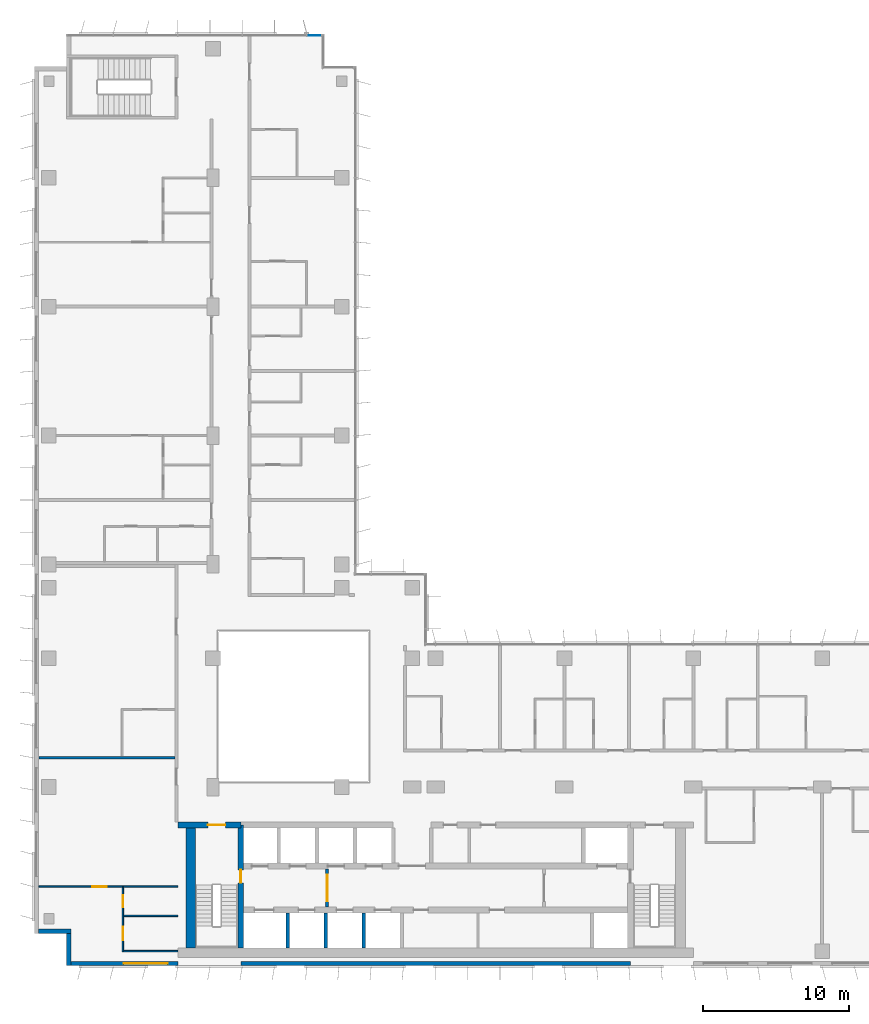
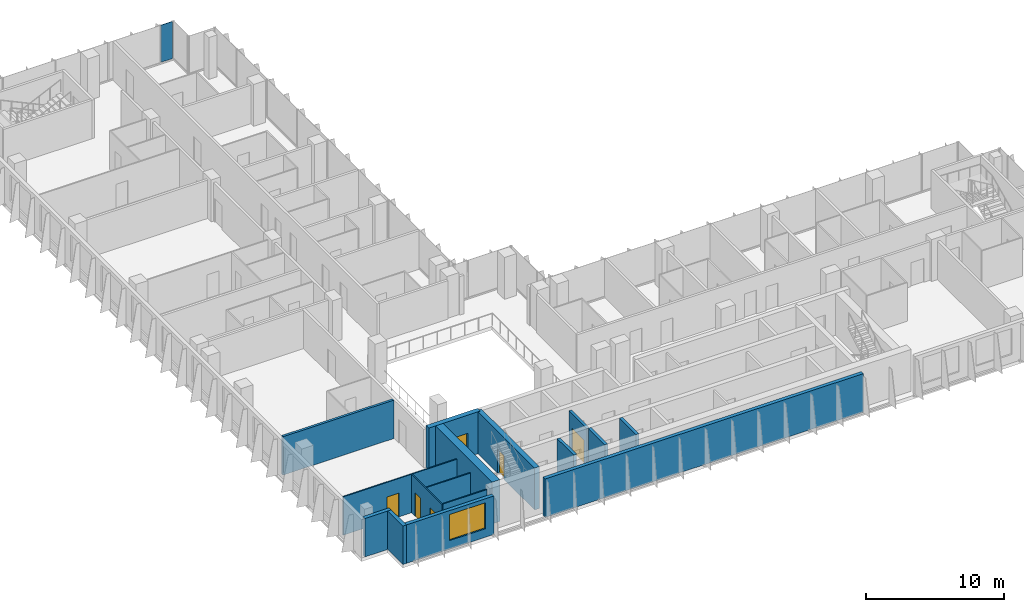
# One storey, part 12 of 21: 16 walls, 6 doors, 1 plate, 1 window, 7 openings, 1 element without a shape of its own.
"""IFC4 building model written with IfcOpenShell, lengths in metres."""

import ifcopenshell
import ifcopenshell.guid

model = None  # the IFC model being written
_history = None  # IfcOwnerHistory: only IFC2X3 demands one
_inside = {}  # id of a spatial element -> (the spatial element, [elements in it])
_under = {}  # id of a project, library or spatial element -> (it, [spatial elements below it])
_declared = {}  # id of a project -> (the project, [libraries it declares])
_typed = {}  # id of a type object -> (the type object, [elements of that type])
_made_of = {}  # id of a material, layer set ... -> (it, [elements and type objects made of it])


def new_model(schema):
    """Start an empty IFC model of exactly this schema.

    Asked for "IFC4X3", IfcOpenShell would pick the latest addendum, in which some entities
    have other attributes; the version numbers below select the first issue.
    IFC2X3 requires an IfcOwnerHistory on every rooted entity: one is made here for all.
    """
    global model, _history
    if schema == "IFC4X3":
        model = ifcopenshell.file(schema_version=(4, 3, 0, 0))
    else:
        model = ifcopenshell.file(schema=schema)
    _inside.clear()
    _under.clear()
    _declared.clear()
    _typed.clear()
    _made_of.clear()
    _history = None
    if model.schema == "IFC2X3":
        org = make("IfcOrganization", Name="unknown")
        user = make(
            "IfcPersonAndOrganization",
            ThePerson=make("IfcPerson", FamilyName="unknown"),
            TheOrganization=org,
        )
        app = make(
            "IfcApplication",
            ApplicationDeveloper=org,
            Version="unknown",
            ApplicationFullName="unknown",
            ApplicationIdentifier="unknown",
        )
        _history = make(
            "IfcOwnerHistory",
            OwningUser=user,
            OwningApplication=app,
            ChangeAction="ADDED",
            CreationDate=0,
        )
    return model


def make(cls, **values):
    """One entity of the class cls with the attributes given. An attribute that is None is left unset."""
    return model.create_entity(
        cls, **{name: value for name, value in values.items() if value is not None}
    )


def rooted(cls, **values):
    """An entity with a GlobalId (a new one), such as an element, a storey or a relation."""
    return make(cls, GlobalId=ifcopenshell.guid.new(), OwnerHistory=_history, **values)


def si_unit(unit_type, name, prefix=None):
    """IfcSIUnit, for example si_unit("LENGTHUNIT", "METRE", prefix="MILLI")."""
    return make("IfcSIUnit", UnitType=unit_type, Prefix=prefix, Name=name)


def assignment(units):
    """IfcUnitAssignment: the units of a project."""
    return None if units is None else make("IfcUnitAssignment", Units=units)


def point(xyz):
    """IfcCartesianPoint."""
    return None if xyz is None else make("IfcCartesianPoint", Coordinates=xyz)


def direction(xyz):
    """IfcDirection."""
    return None if xyz is None else make("IfcDirection", DirectionRatios=xyz)


def frame(location, z_axis=None, x_axis=None):
    """IfcAxis2Placement3D, a coordinate frame: its origin and axes. An axis left out is left unset."""
    return make(
        "IfcAxis2Placement3D",
        Location=point(location),
        Axis=direction(z_axis),
        RefDirection=direction(x_axis),
    )


def frame_2d(location, x_axis=None):
    """IfcAxis2Placement2D, a coordinate frame in the plane: its origin and x axis."""
    return make(
        "IfcAxis2Placement2D", Location=point(location), RefDirection=direction(x_axis)
    )


def origin():
    """The frame at (0, 0, 0) with its axes left unset."""
    return frame((0.0, 0.0, 0.0))


def origin_2d():
    """The frame at (0, 0) in the plane with its x axis left unset."""
    return frame_2d((0.0, 0.0))


def place(relative_to, where):
    """IfcLocalPlacement: puts the frame where relative to a parent placement (None: the world)."""
    return make(
        "IfcLocalPlacement", PlacementRelTo=relative_to, RelativePlacement=where
    )


def context(
    kind, dimensions, precision=None, world=None, true_north=None, identifier=None
):
    """IfcGeometricRepresentationContext, for example the 3D "Model" context."""
    return make(
        "IfcGeometricRepresentationContext",
        ContextIdentifier=identifier,
        ContextType=kind,
        CoordinateSpaceDimension=dimensions,
        Precision=precision,
        WorldCoordinateSystem=world,
        TrueNorth=true_north,
    )


def subcontext(parent, identifier, kind, view, scale=None):
    """IfcGeometricRepresentationSubContext, for example "Body" below "Model"."""
    return make(
        "IfcGeometricRepresentationSubContext",
        ContextIdentifier=identifier,
        ContextType=kind,
        ParentContext=parent,
        TargetScale=scale,
        TargetView=view,
    )


def project(units=None, contexts=None):
    """IfcProject with its units and contexts."""
    return rooted(
        "IfcProject",
        Name="project",
        RepresentationContexts=contexts,
        UnitsInContext=assignment(units),
    )


def spatial(cls, under=None, at=None, **own):
    """A site, building, storey or space (cls), placed at a placement, below another one or the project."""
    s = rooted(cls, ObjectPlacement=at, **own)
    if under is not None:
        _under.setdefault(under.id(), (under, []))[1].append(s)
    return s


def profile(cls, at=None, kind="AREA", **sizes):
    """A parametric profile (cls). Its sizes go by their IFC names, for example OverallWidth=200.0."""
    return make(cls, ProfileType=kind, Position=at, **sizes)


def rectangle(**sizes):
    """IfcRectangleProfileDef."""
    return profile("IfcRectangleProfileDef", **sizes)


def extrude(swept, where, along, depth):
    """IfcExtrudedAreaSolid: the profile swept, set in the frame where, extruded along a direction by depth."""
    return make(
        "IfcExtrudedAreaSolid",
        SweptArea=swept,
        Position=where,
        ExtrudedDirection=direction(along),
        Depth=depth,
    )


def shape(context_of_items, identifier, shape_type, items):
    """IfcShapeRepresentation: the items that make up one representation, for example the "Body"."""
    return make(
        "IfcShapeRepresentation",
        ContextOfItems=context_of_items,
        RepresentationIdentifier=identifier,
        RepresentationType=shape_type,
        Items=items,
    )


def source(mapping_origin, context_of_items, identifier, shape_type, items):
    """IfcRepresentationMap: a shape defined once, which mapped items show again and again."""
    return make(
        "IfcRepresentationMap",
        MappingOrigin=mapping_origin,
        MappedRepresentation=shape(context_of_items, identifier, shape_type, items),
    )


def transform(
    local_origin,
    x_axis=None,
    y_axis=None,
    z_axis=None,
    scale=None,
    scale2=None,
    scale3=None,
    uniform=True,
):
    """IfcCartesianTransformationOperator3D, or its non-uniform kind. x_axis, y_axis, z_axis: its Axis1, 2, 3."""
    if uniform:
        return make(
            "IfcCartesianTransformationOperator3D",
            Axis1=direction(x_axis),
            Axis2=direction(y_axis),
            LocalOrigin=point(local_origin),
            Scale=scale,
            Axis3=direction(z_axis),
        )
    return make(
        "IfcCartesianTransformationOperator3DnonUniform",
        Axis1=direction(x_axis),
        Axis2=direction(y_axis),
        LocalOrigin=point(local_origin),
        Scale=scale,
        Axis3=direction(z_axis),
        Scale2=scale2,
        Scale3=scale3,
    )


def mapped(mapping_source, mapping_target):
    """IfcMappedItem: shows the shape of a source again, moved by a transform."""
    return make(
        "IfcMappedItem", MappingSource=mapping_source, MappingTarget=mapping_target
    )


def material(Name=None, Category=None):
    """IfcMaterial."""
    return make("IfcMaterial", Name=Name, Category=Category)


def layer(
    of_material, thickness, ventilated=None, Name=None, Category=None, Priority=None
):
    """IfcMaterialLayer: one layer of a wall or slab, of a material (None: an air gap)."""
    return make(
        "IfcMaterialLayer",
        Material=of_material,
        LayerThickness=thickness,
        IsVentilated=ventilated,
        Name=Name,
        Category=Category,
        Priority=Priority,
    )


def layer_set(layers, Name=None):
    """IfcMaterialLayerSet."""
    return make("IfcMaterialLayerSet", MaterialLayers=layers, LayerSetName=Name)


def made_of(thing, what):
    """Note that an element or type object is made of a material, layer set ...; save() writes the relation."""
    if what is not None:
        _made_of.setdefault(what.id(), (what, []))[1].append(thing)
    return thing


def type_object(cls, material=None, **own):
    """A type object (cls), such as IfcWallType, which elements share."""
    return made_of(rooted(cls, **own), material)


def element(
    cls,
    number,
    at=None,
    inside=None,
    cuts=None,
    type_object=None,
    material=None,
    context=None,
    identifier="Body",
    shape_type=None,
    held_by="IfcProductDefinitionShape",
    body=None,
    shapes=None,
    **own,
):
    """One element of the class cls, such as IfcWall. Its Tag is "e" and its number.

    at: its placement. inside: the storey or other place that contains it. cuts: it is an
    opening in that element (IfcRelVoidsElement). A single representation is given by context,
    identifier, shape_type and body (its items); several are given by shapes. held_by: the class
    of the entity that holds the representations. save() writes the other relations.
    """
    e = rooted(cls, Tag="e%d" % number, ObjectPlacement=at, **own)
    if body is not None:
        shapes = [shape(context, identifier, shape_type, body)]
    if shapes is not None:
        e.Representation = make(held_by, Representations=shapes)
    if inside is not None:
        _inside.setdefault(inside.id(), (inside, []))[1].append(e)
    if cuts is not None:
        rooted(
            "IfcRelVoidsElement", RelatingBuildingElement=cuts, RelatedOpeningElement=e
        )
    if type_object is not None:
        _typed.setdefault(type_object.id(), (type_object, []))[1].append(e)
    return made_of(e, material)


def fill(opening, filler):
    """IfcRelFillsElement: the door or window that sits in an opening."""
    return rooted(
        "IfcRelFillsElement",
        RelatingOpeningElement=opening,
        RelatedBuildingElement=filler,
    )


def aggregate(whole, parts):
    """IfcRelAggregates: a whole, such as a stair, and the parts it consists of."""
    return rooted("IfcRelAggregates", RelatingObject=whole, RelatedObjects=parts)


def save(model, path):
    """Write the relations noted so far, then the file.

    IfcRelAggregates (storeys below a building ...), IfcRelContainedInSpatialStructure (elements
    in a storey), IfcRelDefinesByType, IfcRelAssociatesMaterial and IfcRelDeclares: one each for
    every whole, place, type object, material and project.
    """
    for whole, parts in _under.values():
        aggregate(whole, parts)
    for where, things in _inside.values():
        rooted(
            "IfcRelContainedInSpatialStructure",
            RelatedElements=things,
            RelatingStructure=where,
        )
    for kind, things in _typed.values():
        rooted("IfcRelDefinesByType", RelatedObjects=things, RelatingType=kind)
    for what, things in _made_of.values():
        rooted("IfcRelAssociatesMaterial", RelatedObjects=things, RelatingMaterial=what)
    for by, libraries in _declared.values():
        rooted("IfcRelDeclares", RelatingContext=by, RelatedDefinitions=libraries)
    model.write(path)


model = new_model("IFC4")

# Units and contexts
model_context = context("Model", 3, precision=1e-05, world=origin(), true_north=direction((0.0, 1.0)))
body_context = subcontext(model_context, "Body", "Model", "MODEL_VIEW")
ifc_project = project(units=[si_unit("LENGTHUNIT", "METRE"), si_unit("AREAUNIT", "SQUARE_METRE"), si_unit("VOLUMEUNIT", "CUBIC_METRE"), si_unit("PLANEANGLEUNIT", "RADIAN"), si_unit("MASSUNIT", "GRAM", prefix="KILO")], contexts=[model_context])

# Site, building, storey
site_placement = place(None, origin())
site = spatial("IfcSite", under=ifc_project, at=site_placement, CompositionType="ELEMENT")
building_placement = place(site_placement, origin())
building = spatial("IfcBuilding", under=site, at=building_placement, Name="Kemantara Hotel Tower", CompositionType="ELEMENT")
storey_placement = place(building_placement, frame((0.0, 0.0, 171.60009765625)))
storey = spatial("IfcBuildingStorey", under=building, at=storey_placement, Name="L42", CompositionType="ELEMENT", Elevation=171.60009765625)

# Curtain wall, plate
ifc_material_1 = material(Name="Low-E tinted double insulated glass 36 mm", Category="glass")
curtain_wall_type = type_object("IfcCurtainWallType", Name="TOWER CURTAIN WALL, FRONT FACES", PredefinedType="USERDEFINED", material=ifc_material_1)
curtain_wall_placement = place(storey_placement, origin())
curtain_wall = element("IfcCurtainWall", 1, at=curtain_wall_placement, inside=storey, type_object=curtain_wall_type, Name="CW4 L42 T3-R02-1", ObjectType="TOWER CURTAIN WALL, FRONT FACES", PredefinedType="USERDEFINED")
ifc_layer_1 = layer(ifc_material_1, 0.035888671875)
ifc_layer_set_1 = layer_set([ifc_layer_1], Name="Low-E tinted double insulated glass 36 mm")
plate_type = type_object("IfcPlateType", Name="TOWER CURTAIN WALL, FRONT FACES PANEL", PredefinedType="CURTAIN_PANEL", material=ifc_layer_set_1)
shared_shape = source(origin(), body_context, "Body", "SweptSolid", [
    extrude(rectangle(XDim=0.9599609375, YDim=0.035888671875, at=origin_2d()), origin(), (0.0, 0.0, 1.0), 3.280029296875),
])
plate_placement = place(storey_placement, frame((19.110107421875, 63.52490234375, 0.1201171875), z_axis=(0.0, 0.0, 1.0), x_axis=(-1.0, 0.0, 0.0)))
plate = element("IfcPlate", 2, at=plate_placement, type_object=plate_type, Name="CW4 glass panel T3-R02-1.1", PredefinedType="CURTAIN_PANEL", context=body_context, shape_type="MappedRepresentation", body=[
    mapped(shared_shape, transform((0.0, 0.0, 0.0))),
])
aggregate(curtain_wall, [plate])

# Walls
ifc_material_2 = material(Name="Bronze anodised aluminium cladding on insulated steel stud wall", Category="steel")
ifc_layer_2 = layer(ifc_material_2, 0.300048828125)
ifc_layer_set_2 = layer_set([ifc_layer_2], Name="Bronze anodised aluminium cladding on insulated steel stud wall")
wall_type_1 = type_object("IfcWallType", Name="BRONZE METAL-CLAD EXTERNAL WALL 300", PredefinedType="STANDARD", material=ifc_layer_set_2)
for number, where, z_axis, x_axis, name in (
    (3, (0.300048828125, 2.35009765625, 0.0), (0.0, 0.0, 1.0), (1.0, 0.0, 0.0), "EXTERNAL WALL L42 T3-R06"),
    (4, (2.35009765625, 2.199951171875, 0.0), (0.0, 0.0, 1.0), (0.0, -1.0, 0.0), "EXTERNAL WALL L42 T3-R07"),
):
    element("IfcWall", number, at=place(storey_placement, frame(where, z_axis=z_axis, x_axis=x_axis)), inside=storey, type_object=wall_type_1, Name=name, PredefinedType="STANDARD", context=body_context, shape_type="SweptSolid", body=[
        extrude(rectangle(XDim=2.199951171875, YDim=0.300048828125, at=frame_2d((1.10009765625, 0.0))), origin(), (0.0, 0.0, 1.0), 3.39990234375),
    ])

# Wall, opening, window
wall_1_placement = place(storey_placement, frame((2.5, 0.14990234375, 0.0), z_axis=(0.0, 0.0, 1.0), x_axis=(1.0, 0.0, 0.0)))
wall_1 = element("IfcWall", 5, at=wall_1_placement, inside=storey, type_object=wall_type_1, Name="EXTERNAL WALL L42 T3-R08", PredefinedType="STANDARD", context=body_context, shape_type="SweptSolid", body=[
    extrude(rectangle(XDim=7.300048828125, YDim=0.300048828125, at=frame_2d((3.64990234375, 0.0))), origin(), (0.0, 0.0, 1.0), 3.39990234375),
])
opening_1_placement = place(wall_1_placement, frame((3.60009765625, 0.0, 0.75)))
opening_1 = element("IfcOpeningElement", 6, at=opening_1_placement, cuts=wall_1, Name="Opening W1", PredefinedType="OPENING", context=body_context, shape_type="SweptSolid", body=[
    extrude(rectangle(XDim=3.0, YDim=2.300048828125, at=frame_2d((1.5, 1.14990234375))), frame((0.0, 0.159912109375, 0.0), z_axis=(0.0, -1.0, 0.0), x_axis=(1.0, 0.0, 0.0)), (0.0, 0.0, 1.0), 0.320068359375),
])
ifc_material_3 = material(Name="Low-E tinted double insulated glass in bronze anodised aluminium frame", Category="aluminium")
window_type = type_object("IfcWindowType", Name="CHICAGO WINDOW, TRIPLE PANEL 3000x2300", PartitioningType="TRIPLE_PANEL_VERTICAL", PredefinedType="WINDOW", material=ifc_material_3)
window_placement = place(opening_1_placement, origin())
window = element("IfcWindow", 7, at=window_placement, inside=storey, type_object=window_type, Name="CHICAGO WINDOW L42 T3-R08-54", OverallHeight=2.300048828125, OverallWidth=3.0, PartitioningType="SINGLE_PANEL", PredefinedType="WINDOW", context=body_context, shape_type="SweptSolid", body=[
    extrude(rectangle(XDim=3.0, YDim=2.300048828125, at=frame_2d((1.5, 1.14990234375))), frame((0.0, 0.030029296875, 0.0), z_axis=(0.0, -1.0, 0.0), x_axis=(1.0, 0.0, 0.0)), (0.0, 0.0, 1.0), 0.06005859375),
])
fill(opening_1, window)

# Walls
wall_2_placement = place(storey_placement, frame((14.10009765625, 0.14990234375, 0.0), z_axis=(0.0, 0.0, 1.0), x_axis=(1.0, 0.0, 0.0)))
element("IfcWall", 8, at=wall_2_placement, inside=storey, type_object=wall_type_1, Name="EXTERNAL WALL L42 T3-R08-2", PredefinedType="STANDARD", context=body_context, shape_type="SweptSolid", body=[
    extrude(rectangle(XDim=26.599853515625, YDim=0.300048828125, at=frame_2d((13.2998046875, 0.0))), origin(), (0.0, 0.0, 1.0), 3.39990234375),
])
ifc_material_4 = material(Name="Concrete fc 60 MPa", Category="concrete")
ifc_layer_3 = layer(ifc_material_4, 0.25)
ifc_layer_set_3 = layer_set([ifc_layer_3], Name="Concrete fc 60 MPa")
wall_type_2 = type_object("IfcWallType", Name="CORE WALL 250 FC60", PredefinedType="SHEAR", material=ifc_layer_set_3)
for number, where, z_axis, x_axis, name in (
    (9, (17.300048828125, 1.199951171875, 0.0), (0.0, 0.0, 1.0), (0.0, 1.0, 0.0), "CORE WALL CW-DS17.3"),
    (10, (19.89990234375, 1.199951171875, 0.0), (0.0, 0.0, 1.0), (0.0, 1.0, 0.0), "CORE WALL CW-DS19.9"),
    (11, (22.5, 1.199951171875, 0.0), (0.0, 0.0, 1.0), (0.0, 1.0, 0.0), "CORE WALL CW-DS22.5"),
):
    element("IfcWall", number, at=place(storey_placement, frame(where, z_axis=z_axis, x_axis=x_axis)), inside=storey, type_object=wall_type_2, Name=name, PredefinedType="SHEAR", context=body_context, shape_type="SweptSolid", body=[
        extrude(rectangle(XDim=2.400146484375, YDim=0.25, at=frame_2d((1.2001953125, 0.0))), origin(), (0.0, 0.0, 1.0), 3.699951171875),
    ])

# Wall, opening, door
ifc_layer_4 = layer(ifc_material_4, 0.39990234375)
ifc_layer_set_4 = layer_set([ifc_layer_4], Name="Concrete fc 60 MPa")
wall_type_3 = type_object("IfcWallType", Name="CORE WALL 400 FC60", PredefinedType="SHEAR", material=ifc_layer_set_4)
wall_3_placement = place(storey_placement, frame((9.800048828125, 9.60009765625, 0.0), z_axis=(0.0, 0.0, 1.0), x_axis=(1.0, 0.0, 0.0)))
wall_3 = element("IfcWall", 12, at=wall_3_placement, inside=storey, type_object=wall_type_3, Name="CORE WALL CW-N1", PredefinedType="SHEAR", context=body_context, shape_type="SweptSolid", body=[
    extrude(rectangle(XDim=4.300048828125, YDim=0.39990234375, at=frame_2d((2.14990234375, 0.0))), origin(), (0.0, 0.0, 1.0), 3.699951171875),
])
opening_2_placement = place(wall_3_placement, frame((2.050048828125, 0.0, 0.0)))
opening_2 = element("IfcOpeningElement", 13, at=opening_2_placement, cuts=wall_3, Name="Opening C26-ST1-C", PredefinedType="OPENING", context=body_context, shape_type="SweptSolid", body=[
    extrude(rectangle(XDim=1.199951171875, YDim=2.10009765625, at=frame_2d((0.60009765625, 1.050048828125))), frame((0.0, 0.2099609375, 0.0), z_axis=(0.0, -1.0, 0.0), x_axis=(1.0, 0.0, 0.0)), (0.0, 0.0, 1.0), 0.419921875),
])
ifc_material_5 = material(Name="Steel fire door", Category="steel")
door_type_1 = type_object("IfcDoorType", Name="Fire door FD90 1200 x 2100", OperationType="NOTDEFINED", PredefinedType="DOOR", material=ifc_material_5)
door_1_placement = place(opening_2_placement, frame((1.199951171875, 0.0, 0.0), z_axis=(0.0, 0.0, 1.0), x_axis=(-1.0, 0.0, 0.0)))
door_1 = element("IfcDoor", 14, at=door_1_placement, inside=storey, type_object=door_type_1, Name="Stair ST1 door to corridor", OperationType="SINGLE_SWING_LEFT", OverallHeight=2.10009765625, OverallWidth=1.199951171875, PredefinedType="DOOR", context=body_context, shape_type="SweptSolid", body=[
    extrude(rectangle(XDim=1.199951171875, YDim=2.10009765625, at=frame_2d((0.60009765625, 1.050048828125))), frame((0.0, 0.02490234375, 0.0), z_axis=(0.0, -1.0, 0.0), x_axis=(1.0, 0.0, 0.0)), (0.0, 0.0, 1.0), 0.050048828125),
])
fill(opening_2, door_1)

wall_4_placement = place(storey_placement, frame((14.10009765625, 1.199951171875, 0.0), z_axis=(0.0, 0.0, 1.0), x_axis=(0.0, 1.0, 0.0)))
wall_4 = element("IfcWall", 15, at=wall_4_placement, inside=storey, type_object=wall_type_3, Name="CORE WALL CW-ST1E", PredefinedType="SHEAR", context=body_context, shape_type="SweptSolid", body=[
    extrude(rectangle(XDim=8.400146484375, YDim=0.39990234375, at=frame_2d((4.2001953125, 0.0))), origin(), (0.0, 0.0, 1.0), 3.699951171875),
])
opening_3_placement = place(wall_4_placement, frame((4.449951171875, 0.0, 0.0)))
opening_3 = element("IfcOpeningElement", 16, at=opening_3_placement, cuts=wall_4, Name="Opening C26-ST1-F", PredefinedType="OPENING", context=body_context, shape_type="SweptSolid", body=[
    extrude(rectangle(XDim=0.89990234375, YDim=2.10009765625, at=frame_2d((0.449951171875, 1.050048828125))), frame((0.0, 0.2099609375, 0.0), z_axis=(0.0, -1.0, 0.0), x_axis=(1.0, 0.0, 0.0)), (0.0, 0.0, 1.0), 0.419921875),
])
door_type_2 = type_object("IfcDoorType", Name="Fire door FD90 900 x 2100", OperationType="NOTDEFINED", PredefinedType="DOOR", material=ifc_material_5)
door_2_placement = place(opening_3_placement, origin())
door_2 = element("IfcDoor", 17, at=door_2_placement, inside=storey, type_object=door_type_2, Name="Stair ST1 door to firefighting lobby", OperationType="SINGLE_SWING_RIGHT", OverallHeight=2.10009765625, OverallWidth=0.89990234375, PredefinedType="DOOR", context=body_context, shape_type="SweptSolid", body=[
    extrude(rectangle(XDim=0.89990234375, YDim=2.10009765625, at=frame_2d((0.449951171875, 1.050048828125))), frame((0.0, 0.02490234375, 0.0), z_axis=(0.0, -1.0, 0.0), x_axis=(1.0, 0.0, 0.0)), (0.0, 0.0, 1.0), 0.050048828125),
])
fill(opening_3, door_2)

# Walls
ifc_layer_5 = layer(ifc_material_4, 0.64990234375)
ifc_layer_set_5 = layer_set([ifc_layer_5], Name="Concrete fc 60 MPa")
wall_type_4 = type_object("IfcWallType", Name="CORE WALL 650 FC60", PredefinedType="SHEAR", material=ifc_layer_set_5)
wall_5_placement = place(storey_placement, frame((10.675048828125, 1.199951171875, 0.0), z_axis=(0.0, 0.0, 1.0), x_axis=(0.0, 1.0, 0.0)))
element("IfcWall", 18, at=wall_5_placement, inside=storey, type_object=wall_type_4, Name="CORE WALL CW-W", PredefinedType="SHEAR", context=body_context, shape_type="SweptSolid", body=[
    extrude(rectangle(XDim=8.60009765625, YDim=0.64990234375, at=frame_2d((4.300048828125, 0.0))), origin(), (0.0, 0.0, 1.0), 3.699951171875),
])
ifc_material_6 = material(Name="Gypsum board partition, steel studs and mineral wool, 200 mm", Category="steel")
ifc_layer_6 = layer(ifc_material_6, 0.199951171875)
ifc_layer_set_6 = layer_set([ifc_layer_6], Name="Gypsum board partition, steel studs and mineral wool, 200 mm")
wall_type_5 = type_object("IfcWallType", Name="GUEST ROOM PARTY WALL 200", PredefinedType="PARTITIONING", material=ifc_layer_set_6)
wall_6_placement = place(storey_placement, frame((0.31005859375, 14.199951171875, 0.0), z_axis=(0.0, 0.0, 1.0), x_axis=(1.0, 0.0, 0.0)))
element("IfcWall", 19, at=wall_6_placement, inside=storey, type_object=wall_type_5, Name="GUEST ROOM PARTY WALL 200 014", PredefinedType="PARTITIONING", context=body_context, shape_type="SweptSolid", body=[
    extrude(rectangle(XDim=9.2900390625, YDim=0.199951171875, at=frame_2d((4.64501953125, 0.0))), origin(), (0.0, 0.0, 1.0), 3.39990234375),
])

# Wall, opening, door
ifc_material_7 = material(Name="Gypsum board shaft wall")
ifc_layer_7 = layer(ifc_material_7, 0.199951171875)
ifc_layer_set_7 = layer_set([ifc_layer_7], Name="Gypsum board shaft wall")
wall_type_6 = type_object("IfcWallType", Name="Gypsum board shaft wall 200 mm", PredefinedType="PARTITIONING", material=ifc_layer_set_7)
wall_7_placement = place(storey_placement, frame((20.0, 4.0, 0.0), z_axis=(0.0, 0.0, 1.0), x_axis=(0.0, 1.0, 0.0)))
wall_7 = element("IfcWall", 20, at=wall_7_placement, inside=storey, type_object=wall_type_6, Name="Firefighting lobby partition west", PredefinedType="PARTITIONING", context=body_context, shape_type="SweptSolid", body=[
    extrude(rectangle(XDim=2.60009765625, YDim=0.199951171875, at=frame_2d((1.300048828125, 0.0))), origin(), (0.0, 0.0, 1.0), 3.39990234375),
])
opening_4_placement = place(wall_7_placement, frame((0.39990234375, 0.0, 0.0)))
opening_4 = element("IfcOpeningElement", 21, at=opening_4_placement, cuts=wall_7, Name="Opening C26-FFW", PredefinedType="OPENING", context=body_context, shape_type="SweptSolid", body=[
    extrude(rectangle(XDim=1.800048828125, YDim=2.10009765625, at=frame_2d((0.89990234375, 1.050048828125))), frame((0.0, 0.10986328125, 0.0), z_axis=(0.0, -1.0, 0.0), x_axis=(1.0, 0.0, 0.0)), (0.0, 0.0, 1.0), 0.219970703125),
])
door_type_3 = type_object("IfcDoorType", Name="Fire door pair FD60 1800 x 2100", OperationType="DOUBLE_DOOR_SINGLE_SWING", PredefinedType="DOOR", material=ifc_material_5)
door_3_placement = place(opening_4_placement, origin())
door_3 = element("IfcDoor", 22, at=door_3_placement, inside=storey, type_object=door_type_3, Name="Firefighting lobby door west", OperationType="DOUBLE_DOOR_SINGLE_SWING", OverallHeight=2.10009765625, OverallWidth=1.800048828125, PredefinedType="DOOR", context=body_context, shape_type="SweptSolid", body=[
    extrude(rectangle(XDim=1.800048828125, YDim=2.10009765625, at=frame_2d((0.89990234375, 1.050048828125))), frame((0.0, 0.02490234375, 0.0), z_axis=(0.0, -1.0, 0.0), x_axis=(1.0, 0.0, 0.0)), (0.0, 0.0, 1.0), 0.050048828125),
])
fill(opening_4, door_3)

# Wall, openings, doors
ifc_material_8 = material(Name="Gypsum board partition on steel studs, 100 mm", Category="steel")
ifc_layer_8 = layer(ifc_material_8, 0.10009765625)
ifc_layer_set_8 = layer_set([ifc_layer_8], Name="Gypsum board partition on steel studs, 100 mm")
wall_type_7 = type_object("IfcWallType", Name="ROOM PARTITION 100", PredefinedType="PARTITIONING", material=ifc_layer_set_8)
wall_8_placement = place(storey_placement, frame((6.050048828125, 5.35009765625, 0.0), z_axis=(0.0, 0.0, 1.0), x_axis=(0.0, -1.0, 0.0)))
wall_8 = element("IfcWall", 23, at=wall_8_placement, inside=storey, type_object=wall_type_7, Name="ROOM PARTITION 100 049", PredefinedType="PARTITIONING", context=body_context, shape_type="SweptSolid", body=[
    extrude(rectangle(XDim=4.400146484375, YDim=0.10009765625, at=frame_2d((2.2001953125, 0.0))), origin(), (0.0, 0.0, 1.0), 3.39990234375),
])
opening_5_placement = place(wall_8_placement, frame((2.699951171875, 0.0, 0.0)))
opening_5 = element("IfcOpeningElement", 24, at=opening_5_placement, cuts=wall_8, Name="Opening F19-019", PredefinedType="OPENING", context=body_context, shape_type="SweptSolid", body=[
    extrude(rectangle(XDim=0.89990234375, YDim=2.10009765625, at=frame_2d((0.449951171875, 1.050048828125))), frame((0.0, 0.06005859375, 0.0), z_axis=(0.0, -1.0, 0.0), x_axis=(1.0, 0.0, 0.0)), (0.0, 0.0, 1.0), 0.1201171875),
])
opening_6_placement = place(wall_8_placement, frame((0.550048828125, 0.0, 0.0)))
opening_6 = element("IfcOpeningElement", 25, at=opening_6_placement, cuts=wall_8, Name="Opening F19-020", PredefinedType="OPENING", context=body_context, shape_type="SweptSolid", body=[
    extrude(rectangle(XDim=0.800048828125, YDim=2.10009765625, at=frame_2d((0.39990234375, 1.050048828125))), frame((0.0, 0.06005859375, 0.0), z_axis=(0.0, -1.0, 0.0), x_axis=(1.0, 0.0, 0.0)), (0.0, 0.0, 1.0), 0.1201171875),
])
ifc_material_9 = material(Name="Hardwood veneer door leaf with steel frame", Category="steel")
door_type_4 = type_object("IfcDoorType", Name="BATHROOM DOOR 900 X 2100", OperationType="NOTDEFINED", PredefinedType="DOOR", material=ifc_material_9)
door_4_placement = place(opening_5_placement, origin())
door_4 = element("IfcDoor", 26, at=door_4_placement, inside=storey, type_object=door_type_4, Name="BATHROOM DOOR F19-019", OperationType="SINGLE_SWING_LEFT", OverallHeight=2.10009765625, OverallWidth=0.89990234375, PredefinedType="DOOR", context=body_context, shape_type="SweptSolid", body=[
    extrude(rectangle(XDim=0.89990234375, YDim=2.10009765625, at=frame_2d((0.449951171875, 1.050048828125))), frame((0.0, 0.02490234375, 0.0), z_axis=(0.0, -1.0, 0.0), x_axis=(1.0, 0.0, 0.0)), (0.0, 0.0, 1.0), 0.050048828125),
])
fill(opening_5, door_4)
door_type_5 = type_object("IfcDoorType", Name="WARDROBE DOOR 800 X 2100", OperationType="NOTDEFINED", PredefinedType="DOOR", material=ifc_material_9)
door_5_placement = place(opening_6_placement, origin())
door_5 = element("IfcDoor", 27, at=door_5_placement, inside=storey, type_object=door_type_5, Name="WARDROBE DOOR F19-020", OperationType="SINGLE_SWING_LEFT", OverallHeight=2.10009765625, OverallWidth=0.800048828125, PredefinedType="DOOR", context=body_context, shape_type="SweptSolid", body=[
    extrude(rectangle(XDim=0.800048828125, YDim=2.10009765625, at=frame_2d((0.39990234375, 1.050048828125))), frame((0.0, 0.02490234375, 0.0), z_axis=(0.0, -1.0, 0.0), x_axis=(1.0, 0.0, 0.0)), (0.0, 0.0, 1.0), 0.050048828125),
])
fill(opening_6, door_5)

# Wall, opening, door
wall_9_placement = place(storey_placement, frame((9.7998046875, 5.39990234375, 0.0), z_axis=(0.0, 0.0, 1.0), x_axis=(-1.0, 0.0, 0.0)))
wall_9 = element("IfcWall", 28, at=wall_9_placement, inside=storey, type_object=wall_type_7, Name="ROOM PARTITION 100 050", PredefinedType="PARTITIONING", context=body_context, shape_type="SweptSolid", body=[
    extrude(rectangle(XDim=9.48974609375, YDim=0.10009765625, at=frame_2d((4.744873046875, 0.0))), origin(), (0.0, 0.0, 1.0), 3.39990234375),
])
opening_7_placement = place(wall_9_placement, frame((4.849853515625, 0.0, 0.0)))
opening_7 = element("IfcOpeningElement", 29, at=opening_7_placement, cuts=wall_9, Name="Opening F19-018", PredefinedType="OPENING", context=body_context, shape_type="SweptSolid", body=[
    extrude(rectangle(XDim=1.0, YDim=2.10009765625, at=frame_2d((0.5, 1.050048828125))), frame((0.0, 0.06005859375, 0.0), z_axis=(0.0, -1.0, 0.0), x_axis=(1.0, 0.0, 0.0)), (0.0, 0.0, 1.0), 0.1201171875),
])
door_type_6 = type_object("IfcDoorType", Name="INTERNAL DOOR 1000 X 2100", OperationType="NOTDEFINED", PredefinedType="DOOR", material=ifc_material_9)
door_6_placement = place(opening_7_placement, origin())
door_6 = element("IfcDoor", 30, at=door_6_placement, inside=storey, type_object=door_type_6, Name="INTERNAL DOOR F19-018", OperationType="SINGLE_SWING_LEFT", OverallHeight=2.10009765625, OverallWidth=1.0, PredefinedType="DOOR", context=body_context, shape_type="SweptSolid", body=[
    extrude(rectangle(XDim=1.0, YDim=2.10009765625, at=frame_2d((0.5, 1.050048828125))), frame((0.0, 0.02490234375, 0.0), z_axis=(0.0, -1.0, 0.0), x_axis=(1.0, 0.0, 0.0)), (0.0, 0.0, 1.0), 0.050048828125),
])
fill(opening_7, door_6)

# Walls
for number, where, z_axis, x_axis, name in (
    (31, (6.10009765625, 1.0, 0.0), (0.0, 0.0, 1.0), (1.0, 0.0, 0.0), "ROOM PARTITION 100 051"),
    (32, (6.10009765625, 3.39990234375, 0.0), (0.0, 0.0, 1.0), (1.0, 0.0, 0.0), "ROOM PARTITION 100 052"),
):
    element("IfcWall", number, at=place(storey_placement, frame(where, z_axis=z_axis, x_axis=x_axis)), inside=storey, type_object=wall_type_7, Name=name, PredefinedType="PARTITIONING", context=body_context, shape_type="SweptSolid", body=[
        extrude(rectangle(XDim=3.69970703125, YDim=0.10009765625, at=frame_2d((1.849853515625, 0.0))), origin(), (0.0, 0.0, 1.0), 3.39990234375),
    ])

save(model, "model.ifc")
